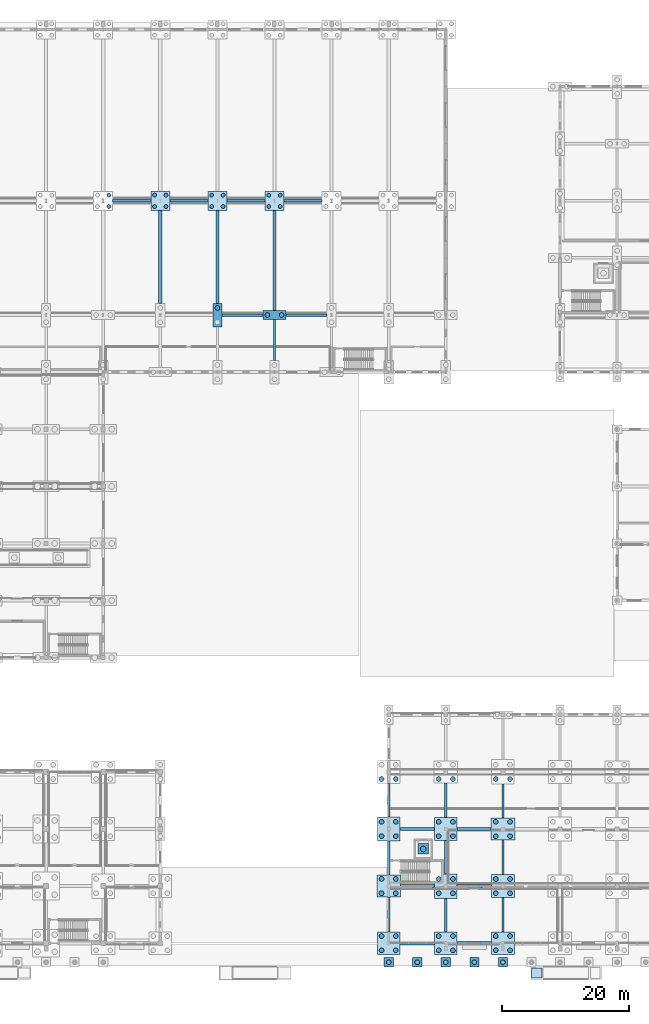
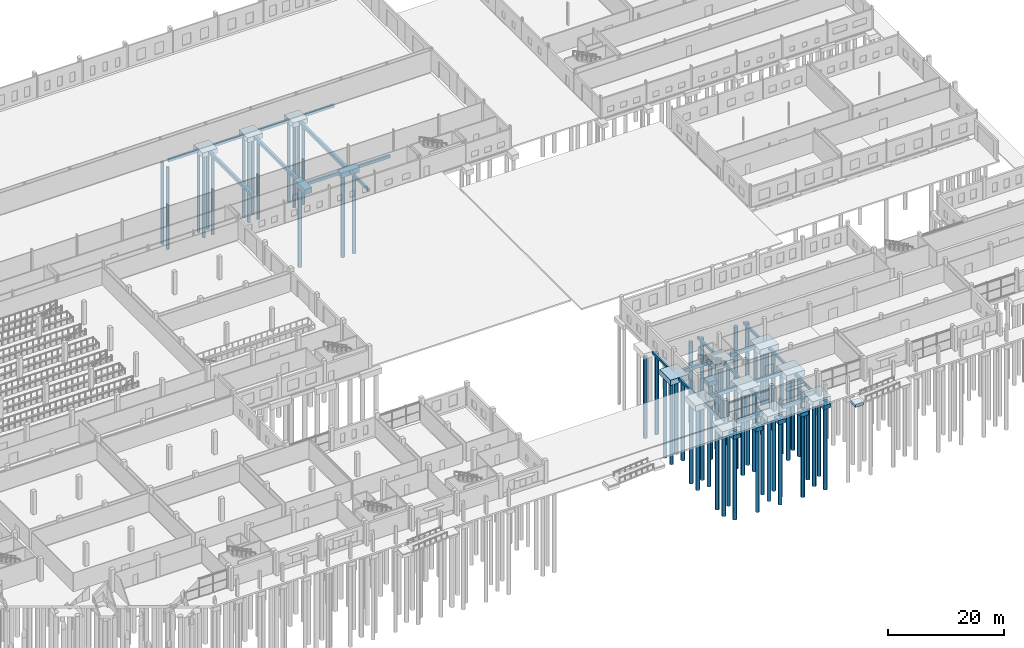
# One storey, part 10 of 112: 65 piles, 46 footings.
"""IFC4 building model written with IfcOpenShell, lengths in metres."""

import ifcopenshell
import ifcopenshell.guid

model = None  # the IFC model being written
_history = None  # IfcOwnerHistory: only IFC2X3 demands one
_inside = {}  # id of a spatial element -> (the spatial element, [elements in it])
_under = {}  # id of a project, library or spatial element -> (it, [spatial elements below it])
_declared = {}  # id of a project -> (the project, [libraries it declares])
_typed = {}  # id of a type object -> (the type object, [elements of that type])
_made_of = {}  # id of a material, layer set ... -> (it, [elements and type objects made of it])


def new_model(schema):
    """Start an empty IFC model of exactly this schema.

    Asked for "IFC4X3", IfcOpenShell would pick the latest addendum, in which some entities
    have other attributes; the version numbers below select the first issue.
    IFC2X3 requires an IfcOwnerHistory on every rooted entity: one is made here for all.
    """
    global model, _history
    if schema == "IFC4X3":
        model = ifcopenshell.file(schema_version=(4, 3, 0, 0))
    else:
        model = ifcopenshell.file(schema=schema)
    _inside.clear()
    _under.clear()
    _declared.clear()
    _typed.clear()
    _made_of.clear()
    _history = None
    if model.schema == "IFC2X3":
        org = make("IfcOrganization", Name="unknown")
        user = make(
            "IfcPersonAndOrganization",
            ThePerson=make("IfcPerson", FamilyName="unknown"),
            TheOrganization=org,
        )
        app = make(
            "IfcApplication",
            ApplicationDeveloper=org,
            Version="unknown",
            ApplicationFullName="unknown",
            ApplicationIdentifier="unknown",
        )
        _history = make(
            "IfcOwnerHistory",
            OwningUser=user,
            OwningApplication=app,
            ChangeAction="ADDED",
            CreationDate=0,
        )
    return model


def make(cls, **values):
    """One entity of the class cls with the attributes given. An attribute that is None is left unset."""
    return model.create_entity(
        cls, **{name: value for name, value in values.items() if value is not None}
    )


def rooted(cls, **values):
    """An entity with a GlobalId (a new one), such as an element, a storey or a relation."""
    return make(cls, GlobalId=ifcopenshell.guid.new(), OwnerHistory=_history, **values)


def si_unit(unit_type, name, prefix=None):
    """IfcSIUnit, for example si_unit("LENGTHUNIT", "METRE", prefix="MILLI")."""
    return make("IfcSIUnit", UnitType=unit_type, Prefix=prefix, Name=name)


def assignment(units):
    """IfcUnitAssignment: the units of a project."""
    return None if units is None else make("IfcUnitAssignment", Units=units)


def point(xyz):
    """IfcCartesianPoint."""
    return None if xyz is None else make("IfcCartesianPoint", Coordinates=xyz)


def direction(xyz):
    """IfcDirection."""
    return None if xyz is None else make("IfcDirection", DirectionRatios=xyz)


def frame(location, z_axis=None, x_axis=None):
    """IfcAxis2Placement3D, a coordinate frame: its origin and axes. An axis left out is left unset."""
    return make(
        "IfcAxis2Placement3D",
        Location=point(location),
        Axis=direction(z_axis),
        RefDirection=direction(x_axis),
    )


def frame_2d(location, x_axis=None):
    """IfcAxis2Placement2D, a coordinate frame in the plane: its origin and x axis."""
    return make(
        "IfcAxis2Placement2D", Location=point(location), RefDirection=direction(x_axis)
    )


def origin():
    """The frame at (0, 0, 0) with its axes left unset."""
    return frame((0.0, 0.0, 0.0))


def origin_2d():
    """The frame at (0, 0) in the plane with its x axis left unset."""
    return frame_2d((0.0, 0.0))


def place(relative_to, where):
    """IfcLocalPlacement: puts the frame where relative to a parent placement (None: the world)."""
    return make(
        "IfcLocalPlacement", PlacementRelTo=relative_to, RelativePlacement=where
    )


def context(
    kind, dimensions, precision=None, world=None, true_north=None, identifier=None
):
    """IfcGeometricRepresentationContext, for example the 3D "Model" context."""
    return make(
        "IfcGeometricRepresentationContext",
        ContextIdentifier=identifier,
        ContextType=kind,
        CoordinateSpaceDimension=dimensions,
        Precision=precision,
        WorldCoordinateSystem=world,
        TrueNorth=true_north,
    )


def subcontext(parent, identifier, kind, view, scale=None):
    """IfcGeometricRepresentationSubContext, for example "Body" below "Model"."""
    return make(
        "IfcGeometricRepresentationSubContext",
        ContextIdentifier=identifier,
        ContextType=kind,
        ParentContext=parent,
        TargetScale=scale,
        TargetView=view,
    )


def project(units=None, contexts=None):
    """IfcProject with its units and contexts."""
    return rooted(
        "IfcProject",
        Name="project",
        RepresentationContexts=contexts,
        UnitsInContext=assignment(units),
    )


def spatial(cls, under=None, at=None, **own):
    """A site, building, storey or space (cls), placed at a placement, below another one or the project."""
    s = rooted(cls, ObjectPlacement=at, **own)
    if under is not None:
        _under.setdefault(under.id(), (under, []))[1].append(s)
    return s


def polyline(points):
    """IfcPolyline through the points."""
    return make("IfcPolyline", Points=[point(p) for p in points])


def profile(cls, at=None, kind="AREA", **sizes):
    """A parametric profile (cls). Its sizes go by their IFC names, for example OverallWidth=200.0."""
    return make(cls, ProfileType=kind, Position=at, **sizes)


def rectangle(**sizes):
    """IfcRectangleProfileDef."""
    return profile("IfcRectangleProfileDef", **sizes)


def circle(**sizes):
    """IfcCircleProfileDef."""
    return profile("IfcCircleProfileDef", **sizes)


def outline(outer, holes=None, kind="AREA"):
    """IfcArbitraryClosedProfileDef: a profile drawn as a closed curve; with holes, ...WithVoids."""
    if holes is None:
        return make("IfcArbitraryClosedProfileDef", ProfileType=kind, OuterCurve=outer)
    return make(
        "IfcArbitraryProfileDefWithVoids",
        ProfileType=kind,
        OuterCurve=outer,
        InnerCurves=holes,
    )


def extrude(swept, where, along, depth):
    """IfcExtrudedAreaSolid: the profile swept, set in the frame where, extruded along a direction by depth."""
    return make(
        "IfcExtrudedAreaSolid",
        SweptArea=swept,
        Position=where,
        ExtrudedDirection=direction(along),
        Depth=depth,
    )


def shape(context_of_items, identifier, shape_type, items):
    """IfcShapeRepresentation: the items that make up one representation, for example the "Body"."""
    return make(
        "IfcShapeRepresentation",
        ContextOfItems=context_of_items,
        RepresentationIdentifier=identifier,
        RepresentationType=shape_type,
        Items=items,
    )


def material(Name=None, Category=None):
    """IfcMaterial."""
    return make("IfcMaterial", Name=Name, Category=Category)


def material_profile(
    of_material, cross_section, Name=None, Category=None, Priority=None
):
    """IfcMaterialProfile: a cross section and its material."""
    return make(
        "IfcMaterialProfile",
        Name=Name,
        Material=of_material,
        Profile=cross_section,
        Priority=Priority,
        Category=Category,
    )


def profile_set(profiles, Name=None, composite=None):
    """IfcMaterialProfileSet."""
    return make(
        "IfcMaterialProfileSet",
        Name=Name,
        MaterialProfiles=profiles,
        CompositeProfile=composite,
    )


def made_of(thing, what):
    """Note that an element or type object is made of a material, layer set ...; save() writes the relation."""
    if what is not None:
        _made_of.setdefault(what.id(), (what, []))[1].append(thing)
    return thing


def type_object(cls, material=None, **own):
    """A type object (cls), such as IfcWallType, which elements share."""
    return made_of(rooted(cls, **own), material)


def element(
    cls,
    number,
    at=None,
    inside=None,
    cuts=None,
    type_object=None,
    material=None,
    context=None,
    identifier="Body",
    shape_type=None,
    held_by="IfcProductDefinitionShape",
    body=None,
    shapes=None,
    **own,
):
    """One element of the class cls, such as IfcWall. Its Tag is "e" and its number.

    at: its placement. inside: the storey or other place that contains it. cuts: it is an
    opening in that element (IfcRelVoidsElement). A single representation is given by context,
    identifier, shape_type and body (its items); several are given by shapes. held_by: the class
    of the entity that holds the representations. save() writes the other relations.
    """
    e = rooted(cls, Tag="e%d" % number, ObjectPlacement=at, **own)
    if body is not None:
        shapes = [shape(context, identifier, shape_type, body)]
    if shapes is not None:
        e.Representation = make(held_by, Representations=shapes)
    if inside is not None:
        _inside.setdefault(inside.id(), (inside, []))[1].append(e)
    if cuts is not None:
        rooted(
            "IfcRelVoidsElement", RelatingBuildingElement=cuts, RelatedOpeningElement=e
        )
    if type_object is not None:
        _typed.setdefault(type_object.id(), (type_object, []))[1].append(e)
    return made_of(e, material)


def aggregate(whole, parts):
    """IfcRelAggregates: a whole, such as a stair, and the parts it consists of."""
    return rooted("IfcRelAggregates", RelatingObject=whole, RelatedObjects=parts)


def save(model, path):
    """Write the relations noted so far, then the file.

    IfcRelAggregates (storeys below a building ...), IfcRelContainedInSpatialStructure (elements
    in a storey), IfcRelDefinesByType, IfcRelAssociatesMaterial and IfcRelDeclares: one each for
    every whole, place, type object, material and project.
    """
    for whole, parts in _under.values():
        aggregate(whole, parts)
    for where, things in _inside.values():
        rooted(
            "IfcRelContainedInSpatialStructure",
            RelatedElements=things,
            RelatingStructure=where,
        )
    for kind, things in _typed.values():
        rooted("IfcRelDefinesByType", RelatedObjects=things, RelatingType=kind)
    for what, things in _made_of.values():
        rooted("IfcRelAssociatesMaterial", RelatedObjects=things, RelatingMaterial=what)
    for by, libraries in _declared.values():
        rooted("IfcRelDeclares", RelatingContext=by, RelatedDefinitions=libraries)
    model.write(path)


model = new_model("IFC4")

# Units and contexts
model_context = context("Model", 3, precision=1e-05, world=origin(), true_north=direction((0.0, 1.0)))
body_context = subcontext(model_context, "Body", "Model", "MODEL_VIEW")
ifc_project = project(units=[si_unit("LENGTHUNIT", "METRE"), si_unit("AREAUNIT", "SQUARE_METRE"), si_unit("VOLUMEUNIT", "CUBIC_METRE"), si_unit("PLANEANGLEUNIT", "RADIAN"), si_unit("MASSUNIT", "GRAM", prefix="KILO")], contexts=[model_context])

# Site, building, storey
site_placement = place(None, origin())
site = spatial("IfcSite", under=ifc_project, at=site_placement, CompositionType="ELEMENT")
building_placement = place(site_placement, origin())
building = spatial("IfcBuilding", under=site, at=building_placement, Name="Tharagai Park Tramway Depot", CompositionType="ELEMENT")
storey_placement = place(building_placement, origin())
storey = spatial("IfcBuildingStorey", under=building, at=storey_placement, Name="L00", CompositionType="ELEMENT", Elevation=0.0)

# Piles
ifc_material = material(Name="Concrete M40", Category="concrete")
ifc_material_profile_1 = material_profile(ifc_material, circle(Radius=0.449951171875, at=origin_2d()), Name="PILE D900")
ifc_profile_set_1 = profile_set([ifc_material_profile_1], Name="Concrete M40")
pile_type_1 = type_object("IfcPileType", Name="BP-01", PredefinedType="BORED", material=ifc_profile_set_1)
pile_1_placement = place(storey_placement, frame((140.449951171875, 14.85009765625, -2.60009765625), z_axis=(0.0, 0.0, -1.0), x_axis=(1.0, 0.0, 0.0)))
element("IfcPile", 1, at=pile_1_placement, inside=storey, type_object=pile_type_1, Name="Lift LP-03 Pit Bored Pile", PredefinedType="BORED", context=body_context, shape_type="SweptSolid", body=[
    extrude(circle(Radius=0.449951171875, at=origin_2d()), origin(), (0.0, 0.0, 1.0), 15.89990234375),
])
ifc_material_profile_2 = material_profile(ifc_material, circle(Radius=0.375, at=origin_2d()), Name="PILE D750")
ifc_profile_set_2 = profile_set([ifc_material_profile_2], Name="Concrete M40")
pile_type_2 = type_object("IfcPileType", Name="BP-02", PredefinedType="BORED", material=ifc_profile_set_2)
pile_2_placement = place(storey_placement, frame((108.0, 100.125, -1.280029296875), z_axis=(0.0, 0.0, -1.0), x_axis=(1.0, 0.0, 0.0)))
element("IfcPile", 2, at=pile_2_placement, inside=storey, type_object=pile_type_2, Name="Bored Pile BP-02 (108,99) #2", PredefinedType="BORED", context=body_context, shape_type="SweptSolid", body=[
    extrude(circle(Radius=0.375, at=origin_2d()), origin(), (0.0, 0.0, 1.0), 17.219970703125),
])
for number, where, z_axis, x_axis, name in (
    (3, (115.875, 99.0, -1.25), (0.0, 0.0, -1.0), (1.0, 0.0, 0.0), "Bored Pile BP-02 (117,99) #1"),
    (4, (118.125, 99.0, -1.25), (0.0, 0.0, -1.0), (1.0, 0.0, 0.0), "Bored Pile BP-02 (117,99) #2"),
):
    element("IfcPile", number, at=place(storey_placement, frame(where, z_axis=z_axis, x_axis=x_axis)), inside=storey, type_object=pile_type_2, Name=name, PredefinedType="BORED", context=body_context, shape_type="SweptSolid", body=[
        extrude(circle(Radius=0.375, at=origin_2d()), origin(), (0.0, 0.0, 1.0), 17.25),
    ])
for number, where, z_axis, x_axis, name in (
    (5, (133.875, -1.125, -1.35009765625), (0.0, 0.0, -1.0), (1.0, 0.0, 0.0), "Bored Pile BP-02 (135,0) #1"),
    (6, (136.125, -1.125, -1.35009765625), (0.0, 0.0, -1.0), (1.0, 0.0, 0.0), "Bored Pile BP-02 (135,0) #2"),
    (7, (133.875, 1.125, -1.35009765625), (0.0, 0.0, -1.0), (1.0, 0.0, 0.0), "Bored Pile BP-02 (135,0) #3"),
    (8, (136.125, 1.125, -1.35009765625), (0.0, 0.0, -1.0), (1.0, 0.0, 0.0), "Bored Pile BP-02 (135,0) #4"),
):
    element("IfcPile", number, at=place(storey_placement, frame(where, z_axis=z_axis, x_axis=x_axis)), inside=storey, type_object=pile_type_2, Name=name, PredefinedType="BORED", context=body_context, shape_type="SweptSolid", body=[
        extrude(circle(Radius=0.375, at=origin_2d()), origin(), (0.0, 0.0, 1.0), 17.14990234375),
    ])
for number, where, z_axis, x_axis, name in (
    (9, (133.875, 7.875, -1.39990234375), (0.0, 0.0, -1.0), (1.0, 0.0, 0.0), "Bored Pile BP-02 (135,9) #1"),
    (10, (136.125, 7.875, -1.39990234375), (0.0, 0.0, -1.0), (1.0, 0.0, 0.0), "Bored Pile BP-02 (135,9) #2"),
    (11, (133.875, 10.125, -1.39990234375), (0.0, 0.0, -1.0), (1.0, 0.0, 0.0), "Bored Pile BP-02 (135,9) #3"),
    (12, (136.125, 10.125, -1.39990234375), (0.0, 0.0, -1.0), (1.0, 0.0, 0.0), "Bored Pile BP-02 (135,9) #4"),
):
    element("IfcPile", number, at=place(storey_placement, frame(where, z_axis=z_axis, x_axis=x_axis)), inside=storey, type_object=pile_type_2, Name=name, PredefinedType="BORED", context=body_context, shape_type="SweptSolid", body=[
        extrude(circle(Radius=0.375, at=origin_2d()), origin(), (0.0, 0.0, 1.0), 17.10009765625),
    ])
for number, where, z_axis, x_axis, name in (
    (13, (133.875, 16.875, -1.320068359375), (0.0, 0.0, -1.0), (1.0, 0.0, 0.0), "Bored Pile BP-02 (135,18) #1"),
    (14, (136.125, 16.875, -1.320068359375), (0.0, 0.0, -1.0), (1.0, 0.0, 0.0), "Bored Pile BP-02 (135,18) #2"),
    (15, (133.875, 19.125, -1.320068359375), (0.0, 0.0, -1.0), (1.0, 0.0, 0.0), "Bored Pile BP-02 (135,18) #3"),
    (16, (136.125, 19.125, -1.320068359375), (0.0, 0.0, -1.0), (1.0, 0.0, 0.0), "Bored Pile BP-02 (135,18) #4"),
):
    element("IfcPile", number, at=place(storey_placement, frame(where, z_axis=z_axis, x_axis=x_axis)), inside=storey, type_object=pile_type_2, Name=name, PredefinedType="BORED", context=body_context, shape_type="SweptSolid", body=[
        extrude(circle(Radius=0.375, at=origin_2d()), origin(), (0.0, 0.0, 1.0), 17.179931640625),
    ])
for number, where, z_axis, x_axis, name in (
    (17, (133.875, 25.875, -1.35009765625), (0.0, 0.0, -1.0), (1.0, 0.0, 0.0), "Bored Pile BP-02 (135,27) #1"),
    (18, (136.125, 25.875, -1.35009765625), (0.0, 0.0, -1.0), (1.0, 0.0, 0.0), "Bored Pile BP-02 (135,27) #2"),
    (19, (142.875, -1.125, -1.35009765625), (0.0, 0.0, -1.0), (1.0, 0.0, 0.0), "Bored Pile BP-02 (144,0) #1"),
    (20, (145.125, -1.125, -1.35009765625), (0.0, 0.0, -1.0), (1.0, 0.0, 0.0), "Bored Pile BP-02 (144,0) #2"),
    (21, (142.875, 1.125, -1.35009765625), (0.0, 0.0, -1.0), (1.0, 0.0, 0.0), "Bored Pile BP-02 (144,0) #3"),
    (22, (145.125, 1.125, -1.35009765625), (0.0, 0.0, -1.0), (1.0, 0.0, 0.0), "Bored Pile BP-02 (144,0) #4"),
):
    element("IfcPile", number, at=place(storey_placement, frame(where, z_axis=z_axis, x_axis=x_axis)), inside=storey, type_object=pile_type_2, Name=name, PredefinedType="BORED", context=body_context, shape_type="SweptSolid", body=[
        extrude(circle(Radius=0.375, at=origin_2d()), origin(), (0.0, 0.0, 1.0), 17.14990234375),
    ])
for number, where, z_axis, x_axis, name in (
    (23, (142.875, 7.875, -1.320068359375), (0.0, 0.0, -1.0), (1.0, 0.0, 0.0), "Bored Pile BP-02 (144,9) #1"),
    (24, (145.125, 7.875, -1.320068359375), (0.0, 0.0, -1.0), (1.0, 0.0, 0.0), "Bored Pile BP-02 (144,9) #2"),
    (25, (142.875, 10.125, -1.320068359375), (0.0, 0.0, -1.0), (1.0, 0.0, 0.0), "Bored Pile BP-02 (144,9) #3"),
    (26, (145.125, 10.125, -1.320068359375), (0.0, 0.0, -1.0), (1.0, 0.0, 0.0), "Bored Pile BP-02 (144,9) #4"),
):
    element("IfcPile", number, at=place(storey_placement, frame(where, z_axis=z_axis, x_axis=x_axis)), inside=storey, type_object=pile_type_2, Name=name, PredefinedType="BORED", context=body_context, shape_type="SweptSolid", body=[
        extrude(circle(Radius=0.375, at=origin_2d()), origin(), (0.0, 0.0, 1.0), 17.179931640625),
    ])
for number, where, z_axis, x_axis, name in (
    (27, (142.875, 16.875, -1.35009765625), (0.0, 0.0, -1.0), (1.0, 0.0, 0.0), "Bored Pile BP-02 (144,18) #1"),
    (28, (145.125, 16.875, -1.35009765625), (0.0, 0.0, -1.0), (1.0, 0.0, 0.0), "Bored Pile BP-02 (144,18) #2"),
    (29, (142.875, 19.125, -1.35009765625), (0.0, 0.0, -1.0), (1.0, 0.0, 0.0), "Bored Pile BP-02 (144,18) #3"),
    (30, (145.125, 19.125, -1.35009765625), (0.0, 0.0, -1.0), (1.0, 0.0, 0.0), "Bored Pile BP-02 (144,18) #4"),
):
    element("IfcPile", number, at=place(storey_placement, frame(where, z_axis=z_axis, x_axis=x_axis)), inside=storey, type_object=pile_type_2, Name=name, PredefinedType="BORED", context=body_context, shape_type="SweptSolid", body=[
        extrude(circle(Radius=0.375, at=origin_2d()), origin(), (0.0, 0.0, 1.0), 17.14990234375),
    ])
for number, where, z_axis, x_axis, name in (
    (31, (142.875, 25.875, -1.39990234375), (0.0, 0.0, -1.0), (1.0, 0.0, 0.0), "Bored Pile BP-02 (144,27) #1"),
    (32, (145.125, 25.875, -1.39990234375), (0.0, 0.0, -1.0), (1.0, 0.0, 0.0), "Bored Pile BP-02 (144,27) #2"),
):
    element("IfcPile", number, at=place(storey_placement, frame(where, z_axis=z_axis, x_axis=x_axis)), inside=storey, type_object=pile_type_2, Name=name, PredefinedType="BORED", context=body_context, shape_type="SweptSolid", body=[
        extrude(circle(Radius=0.375, at=origin_2d()), origin(), (0.0, 0.0, 1.0), 17.10009765625),
    ])
for number, where, z_axis, x_axis, name in (
    (33, (151.875, -1.125, -1.35009765625), (0.0, 0.0, -1.0), (1.0, 0.0, 0.0), "Bored Pile BP-02 (153,0) #1"),
    (34, (154.125, -1.125, -1.35009765625), (0.0, 0.0, -1.0), (1.0, 0.0, 0.0), "Bored Pile BP-02 (153,0) #2"),
    (35, (151.875, 1.125, -1.35009765625), (0.0, 0.0, -1.0), (1.0, 0.0, 0.0), "Bored Pile BP-02 (153,0) #3"),
    (36, (154.125, 1.125, -1.35009765625), (0.0, 0.0, -1.0), (1.0, 0.0, 0.0), "Bored Pile BP-02 (153,0) #4"),
    (37, (151.875, 7.875, -1.35009765625), (0.0, 0.0, -1.0), (1.0, 0.0, 0.0), "Bored Pile BP-02 (153,9) #1"),
    (38, (154.125, 7.875, -1.35009765625), (0.0, 0.0, -1.0), (1.0, 0.0, 0.0), "Bored Pile BP-02 (153,9) #2"),
    (39, (151.875, 10.125, -1.35009765625), (0.0, 0.0, -1.0), (1.0, 0.0, 0.0), "Bored Pile BP-02 (153,9) #3"),
    (40, (154.125, 10.125, -1.35009765625), (0.0, 0.0, -1.0), (1.0, 0.0, 0.0), "Bored Pile BP-02 (153,9) #4"),
):
    element("IfcPile", number, at=place(storey_placement, frame(where, z_axis=z_axis, x_axis=x_axis)), inside=storey, type_object=pile_type_2, Name=name, PredefinedType="BORED", context=body_context, shape_type="SweptSolid", body=[
        extrude(circle(Radius=0.375, at=origin_2d()), origin(), (0.0, 0.0, 1.0), 17.14990234375),
    ])
for number, where, z_axis, x_axis, name in (
    (41, (151.875, 16.875, -1.39990234375), (0.0, 0.0, -1.0), (1.0, 0.0, 0.0), "Bored Pile BP-02 (153,18) #1"),
    (42, (154.125, 16.875, -1.39990234375), (0.0, 0.0, -1.0), (1.0, 0.0, 0.0), "Bored Pile BP-02 (153,18) #2"),
    (43, (151.875, 19.125, -1.39990234375), (0.0, 0.0, -1.0), (1.0, 0.0, 0.0), "Bored Pile BP-02 (153,18) #3"),
    (44, (154.125, 19.125, -1.39990234375), (0.0, 0.0, -1.0), (1.0, 0.0, 0.0), "Bored Pile BP-02 (153,18) #4"),
):
    element("IfcPile", number, at=place(storey_placement, frame(where, z_axis=z_axis, x_axis=x_axis)), inside=storey, type_object=pile_type_2, Name=name, PredefinedType="BORED", context=body_context, shape_type="SweptSolid", body=[
        extrude(circle(Radius=0.375, at=origin_2d()), origin(), (0.0, 0.0, 1.0), 17.10009765625),
    ])
for number, where, z_axis, x_axis, name in (
    (45, (151.875, 25.875, -1.320068359375), (0.0, 0.0, -1.0), (1.0, 0.0, 0.0), "Bored Pile BP-02 (153,27) #1"),
    (46, (154.125, 25.875, -1.320068359375), (0.0, 0.0, -1.0), (1.0, 0.0, 0.0), "Bored Pile BP-02 (153,27) #2"),
):
    element("IfcPile", number, at=place(storey_placement, frame(where, z_axis=z_axis, x_axis=x_axis)), inside=storey, type_object=pile_type_2, Name=name, PredefinedType="BORED", context=body_context, shape_type="SweptSolid", body=[
        extrude(circle(Radius=0.375, at=origin_2d()), origin(), (0.0, 0.0, 1.0), 17.179931640625),
    ])
for number, where, z_axis, x_axis, name in (
    (47, (135.0, -3.0, -1.06005859375), (0.0, 0.0, -1.0), (1.0, 0.0, 0.0), "Park Cloister Pier Bored Pile BP-02"),
    (48, (139.5, -3.0, -1.06005859375), (0.0, 0.0, -1.0), (1.0, 0.0, 0.0), "Park Cloister Pier Bored Pile BP-02"),
    (49, (144.0, -3.0, -1.06005859375), (0.0, 0.0, -1.0), (1.0, 0.0, 0.0), "Park Cloister Pier Bored Pile BP-02"),
    (50, (148.5, -3.0, -1.06005859375), (0.0, 0.0, -1.0), (1.0, 0.0, 0.0), "Park Cloister Pier Bored Pile BP-02"),
    (51, (153.0, -3.0, -1.06005859375), (0.0, 0.0, -1.0), (1.0, 0.0, 0.0), "Park Cloister Pier Bored Pile BP-02"),
):
    element("IfcPile", number, at=place(storey_placement, frame(where, z_axis=z_axis, x_axis=x_axis)), inside=storey, type_object=pile_type_2, Name=name, PredefinedType="BORED", context=body_context, shape_type="SweptSolid", body=[
        extrude(circle(Radius=0.375, at=origin_2d()), origin(), (0.0, 0.0, 1.0), 17.43994140625),
    ])
ifc_material_profile_3 = material_profile(ifc_material, circle(Radius=0.300048828125, at=origin_2d()), Name="PILE D600")
ifc_profile_set_3 = profile_set([ifc_material_profile_3], Name="Concrete M40")
pile_type_3 = type_object("IfcPileType", Name="BP-03", PredefinedType="BORED", material=ifc_profile_set_3)
for number, where, z_axis, x_axis, name in (
    (52, (90.89990234375, 116.10009765625, -1.199951171875), (0.0, 0.0, -1.0), (1.0, 0.0, 0.0), "Bored Pile BP-03 (90,117) #2"),
    (53, (90.89990234375, 117.89990234375, -1.199951171875), (0.0, 0.0, -1.0), (1.0, 0.0, 0.0), "Bored Pile BP-03 (90,117) #4"),
    (54, (98.10009765625, 116.10009765625, -1.199951171875), (0.0, 0.0, -1.0), (1.0, 0.0, 0.0), "Bored Pile BP-03 (99,117) #1"),
    (55, (99.89990234375, 116.10009765625, -1.199951171875), (0.0, 0.0, -1.0), (1.0, 0.0, 0.0), "Bored Pile BP-03 (99,117) #2"),
    (56, (98.10009765625, 117.89990234375, -1.199951171875), (0.0, 0.0, -1.0), (1.0, 0.0, 0.0), "Bored Pile BP-03 (99,117) #3"),
    (57, (99.89990234375, 117.89990234375, -1.199951171875), (0.0, 0.0, -1.0), (1.0, 0.0, 0.0), "Bored Pile BP-03 (99,117) #4"),
    (58, (107.10009765625, 116.10009765625, -1.199951171875), (0.0, 0.0, -1.0), (1.0, 0.0, 0.0), "Bored Pile BP-03 (108,117) #1"),
    (59, (108.89990234375, 116.10009765625, -1.199951171875), (0.0, 0.0, -1.0), (1.0, 0.0, 0.0), "Bored Pile BP-03 (108,117) #2"),
    (60, (107.10009765625, 117.89990234375, -1.199951171875), (0.0, 0.0, -1.0), (1.0, 0.0, 0.0), "Bored Pile BP-03 (108,117) #3"),
    (61, (108.89990234375, 117.89990234375, -1.199951171875), (0.0, 0.0, -1.0), (1.0, 0.0, 0.0), "Bored Pile BP-03 (108,117) #4"),
    (62, (116.10009765625, 116.10009765625, -1.199951171875), (0.0, 0.0, -1.0), (1.0, 0.0, 0.0), "Bored Pile BP-03 (117,117) #1"),
    (63, (117.89990234375, 116.10009765625, -1.199951171875), (0.0, 0.0, -1.0), (1.0, 0.0, 0.0), "Bored Pile BP-03 (117,117) #2"),
    (64, (116.10009765625, 117.89990234375, -1.199951171875), (0.0, 0.0, -1.0), (1.0, 0.0, 0.0), "Bored Pile BP-03 (117,117) #3"),
    (65, (117.89990234375, 117.89990234375, -1.199951171875), (0.0, 0.0, -1.0), (1.0, 0.0, 0.0), "Bored Pile BP-03 (117,117) #4"),
):
    element("IfcPile", number, at=place(storey_placement, frame(where, z_axis=z_axis, x_axis=x_axis)), inside=storey, type_object=pile_type_3, Name=name, PredefinedType="BORED", context=body_context, shape_type="SweptSolid", body=[
        extrude(circle(Radius=0.300048828125, at=origin_2d()), origin(), (0.0, 0.0, 1.0), 17.300048828125),
    ])

# Footings
footing_type_1 = type_object("IfcFootingType", Name="GB-02", PredefinedType="FOOTING_BEAM", material=ifc_material)
footing_1_placement = place(storey_placement, frame((0.0, 0.0, -1.0)))
element("IfcFooting", 66, at=footing_1_placement, inside=storey, type_object=footing_type_1, Name="Ground Tie Beam GB-02", PredefinedType="FOOTING_BEAM", context=body_context, shape_type="SweptSolid", body=[
    extrude(outline(polyline([(136.800048828125, -0.25), (142.199951171875, -0.25), (142.199951171875, 0.25), (136.800048828125, 0.25), (136.800048828125, -0.25)])), origin(), (0.0, 0.0, 1.0), 0.699951171875),
])
footing_2_placement = place(storey_placement, frame((0.0, 0.0, -1.0)))
element("IfcFooting", 67, at=footing_2_placement, inside=storey, type_object=footing_type_1, Name="Ground Tie Beam GB-02", PredefinedType="FOOTING_BEAM", context=body_context, shape_type="SweptSolid", body=[
    extrude(outline(polyline([(145.800048828125, -0.25), (151.199951171875, -0.25), (151.199951171875, 0.25), (145.800048828125, 0.25), (145.800048828125, -0.25)])), origin(), (0.0, 0.0, 1.0), 0.699951171875),
])
footing_3_placement = place(storey_placement, frame((0.0, 0.0, -1.0)))
element("IfcFooting", 68, at=footing_3_placement, inside=storey, type_object=footing_type_1, Name="Ground Tie Beam GB-02", PredefinedType="FOOTING_BEAM", context=body_context, shape_type="SweptSolid", body=[
    extrude(outline(polyline([(136.875, 8.75), (142.22509765625, 8.75), (142.22509765625, 9.25), (136.875, 9.25), (136.875, 8.75)])), origin(), (0.0, 0.0, 1.0), 0.699951171875),
])
footing_4_placement = place(storey_placement, frame((0.0, 0.0, -1.0)))
element("IfcFooting", 69, at=footing_4_placement, inside=storey, type_object=footing_type_1, Name="Ground Tie Beam GB-02", PredefinedType="FOOTING_BEAM", context=body_context, shape_type="SweptSolid", body=[
    extrude(outline(polyline([(145.77490234375, 8.75), (151.199951171875, 8.75), (151.199951171875, 9.25), (145.77490234375, 9.25), (145.77490234375, 8.75)])), origin(), (0.0, 0.0, 1.0), 0.699951171875),
])
footing_5_placement = place(storey_placement, frame((0.0, 0.0, -1.0)))
element("IfcFooting", 70, at=footing_5_placement, inside=storey, type_object=footing_type_1, Name="Ground Tie Beam GB-02", PredefinedType="FOOTING_BEAM", context=body_context, shape_type="SweptSolid", body=[
    extrude(outline(polyline([(136.77490234375, 17.75), (142.199951171875, 17.75), (142.199951171875, 18.25), (136.77490234375, 18.25), (136.77490234375, 17.75)])), origin(), (0.0, 0.0, 1.0), 0.699951171875),
])
footing_6_placement = place(storey_placement, frame((0.0, 0.0, -1.0)))
element("IfcFooting", 71, at=footing_6_placement, inside=storey, type_object=footing_type_1, Name="Ground Tie Beam GB-02", PredefinedType="FOOTING_BEAM", context=body_context, shape_type="SweptSolid", body=[
    extrude(outline(polyline([(145.800048828125, 17.75), (151.125, 17.75), (151.125, 18.25), (145.800048828125, 18.25), (145.800048828125, 17.75)])), origin(), (0.0, 0.0, 1.0), 0.699951171875),
])
footing_7_placement = place(storey_placement, frame((0.0, 0.0, -1.0)))
element("IfcFooting", 72, at=footing_7_placement, inside=storey, type_object=footing_type_1, Name="Ground Tie Beam GB-02", PredefinedType="FOOTING_BEAM", context=body_context, shape_type="SweptSolid", body=[
    extrude(outline(polyline([(98.75, 100.85009765625), (99.25, 100.85009765625), (99.25, 115.5), (98.75, 115.5), (98.75, 100.85009765625)])), origin(), (0.0, 0.0, 1.0), 0.699951171875),
])
footing_8_placement = place(storey_placement, frame((0.0, 0.0, -1.0)))
element("IfcFooting", 73, at=footing_8_placement, inside=storey, type_object=footing_type_1, Name="Ground Tie Beam GB-02", PredefinedType="FOOTING_BEAM", context=body_context, shape_type="SweptSolid", body=[
    extrude(outline(polyline([(107.75, 100.85009765625), (108.25, 100.85009765625), (108.25, 115.5), (107.75, 115.5), (107.75, 100.85009765625)])), origin(), (0.0, 0.0, 1.0), 0.699951171875),
])
footing_9_placement = place(storey_placement, frame((0.0, 0.0, -1.0)))
element("IfcFooting", 74, at=footing_9_placement, inside=storey, type_object=footing_type_1, Name="Ground Tie Beam GB-02", PredefinedType="FOOTING_BEAM", context=body_context, shape_type="SweptSolid", body=[
    extrude(outline(polyline([(116.75, 99.699951171875), (117.25, 99.699951171875), (117.25, 115.5), (116.75, 115.5), (116.75, 99.699951171875)])), origin(), (0.0, 0.0, 1.0), 0.699951171875),
])
footing_type_2 = type_object("IfcFootingType", Name="GB-03", PredefinedType="FOOTING_BEAM", material=ifc_material)
footing_10_placement = place(storey_placement, frame((0.0, 0.0, -0.85009765625)))
element("IfcFooting", 75, at=footing_10_placement, inside=storey, type_object=footing_type_2, Name="Ground Tie Beam GB-03", PredefinedType="FOOTING_BEAM", context=body_context, shape_type="SweptSolid", body=[
    extrude(outline(polyline([(116.824951171875, 91.85009765625), (117.175048828125, 91.85009765625), (117.175048828125, 98.300048828125), (116.824951171875, 98.300048828125), (116.824951171875, 91.85009765625)])), origin(), (0.0, 0.0, 1.0), 0.550048828125),
])
footing_11_placement = place(storey_placement, frame((0.0, 0.0, -0.85009765625)))
element("IfcFooting", 76, at=footing_11_placement, inside=storey, type_object=footing_type_2, Name="Ground Tie Beam GB-03", PredefinedType="FOOTING_BEAM", context=body_context, shape_type="SweptSolid", body=[
    extrude(outline(polyline([(134.824951171875, 1.800048828125), (135.175048828125, 1.800048828125), (135.175048828125, 7.25), (134.824951171875, 7.25), (134.824951171875, 1.800048828125)])), origin(), (0.0, 0.0, 1.0), 0.550048828125),
])
footing_12_placement = place(storey_placement, frame((0.0, 0.0, -0.85009765625)))
element("IfcFooting", 77, at=footing_12_placement, inside=storey, type_object=footing_type_2, Name="Ground Tie Beam GB-03", PredefinedType="FOOTING_BEAM", context=body_context, shape_type="SweptSolid", body=[
    extrude(outline(polyline([(134.824951171875, 10.75), (135.175048828125, 10.75), (135.175048828125, 16.074951171875), (134.824951171875, 16.074951171875), (134.824951171875, 10.75)])), origin(), (0.0, 0.0, 1.0), 0.550048828125),
])
footing_13_placement = place(storey_placement, frame((0.0, 0.0, -0.85009765625)))
element("IfcFooting", 78, at=footing_13_placement, inside=storey, type_object=footing_type_2, Name="Ground Tie Beam GB-03", PredefinedType="FOOTING_BEAM", context=body_context, shape_type="SweptSolid", body=[
    extrude(outline(polyline([(134.824951171875, 19.925048828125), (135.175048828125, 19.925048828125), (135.175048828125, 25.199951171875), (134.824951171875, 25.199951171875), (134.824951171875, 19.925048828125)])), origin(), (0.0, 0.0, 1.0), 0.550048828125),
])
footing_14_placement = place(storey_placement, frame((0.0, 0.0, -0.85009765625)))
element("IfcFooting", 79, at=footing_14_placement, inside=storey, type_object=footing_type_2, Name="Ground Tie Beam GB-03", PredefinedType="FOOTING_BEAM", context=body_context, shape_type="SweptSolid", body=[
    extrude(outline(polyline([(143.824951171875, 1.800048828125), (144.175048828125, 1.800048828125), (144.175048828125, 7.074951171875), (143.824951171875, 7.074951171875), (143.824951171875, 1.800048828125)])), origin(), (0.0, 0.0, 1.0), 0.550048828125),
])
footing_15_placement = place(storey_placement, frame((0.0, 0.0, -0.85009765625)))
element("IfcFooting", 80, at=footing_15_placement, inside=storey, type_object=footing_type_2, Name="Ground Tie Beam GB-03", PredefinedType="FOOTING_BEAM", context=body_context, shape_type="SweptSolid", body=[
    extrude(outline(polyline([(143.824951171875, 10.925048828125), (144.175048828125, 10.925048828125), (144.175048828125, 16.199951171875), (143.824951171875, 16.199951171875), (143.824951171875, 10.925048828125)])), origin(), (0.0, 0.0, 1.0), 0.550048828125),
])
footing_16_placement = place(storey_placement, frame((0.0, 0.0, -0.85009765625)))
element("IfcFooting", 81, at=footing_16_placement, inside=storey, type_object=footing_type_2, Name="Ground Tie Beam GB-03", PredefinedType="FOOTING_BEAM", context=body_context, shape_type="SweptSolid", body=[
    extrude(outline(polyline([(143.824951171875, 19.800048828125), (144.175048828125, 19.800048828125), (144.175048828125, 25.25), (143.824951171875, 25.25), (143.824951171875, 19.800048828125)])), origin(), (0.0, 0.0, 1.0), 0.550048828125),
])
footing_17_placement = place(storey_placement, frame((0.0, 0.0, -0.85009765625)))
element("IfcFooting", 82, at=footing_17_placement, inside=storey, type_object=footing_type_2, Name="Ground Tie Beam GB-03", PredefinedType="FOOTING_BEAM", context=body_context, shape_type="SweptSolid", body=[
    extrude(outline(polyline([(152.824951171875, 1.800048828125), (153.175048828125, 1.800048828125), (153.175048828125, 7.199951171875), (152.824951171875, 7.199951171875), (152.824951171875, 1.800048828125)])), origin(), (0.0, 0.0, 1.0), 0.550048828125),
])
footing_18_placement = place(storey_placement, frame((0.0, 0.0, -0.85009765625)))
element("IfcFooting", 83, at=footing_18_placement, inside=storey, type_object=footing_type_2, Name="Ground Tie Beam GB-03", PredefinedType="FOOTING_BEAM", context=body_context, shape_type="SweptSolid", body=[
    extrude(outline(polyline([(152.824951171875, 10.800048828125), (153.175048828125, 10.800048828125), (153.175048828125, 16.25), (152.824951171875, 16.25), (152.824951171875, 10.800048828125)])), origin(), (0.0, 0.0, 1.0), 0.550048828125),
])
footing_19_placement = place(storey_placement, frame((0.0, 0.0, -0.85009765625)))
element("IfcFooting", 84, at=footing_19_placement, inside=storey, type_object=footing_type_2, Name="Ground Tie Beam GB-03", PredefinedType="FOOTING_BEAM", context=body_context, shape_type="SweptSolid", body=[
    extrude(outline(polyline([(152.824951171875, 19.75), (153.175048828125, 19.75), (153.175048828125, 25.074951171875), (152.824951171875, 25.074951171875), (152.824951171875, 19.75)])), origin(), (0.0, 0.0, 1.0), 0.550048828125),
])
footing_type_3 = type_object("IfcFootingType", Name="GB-04", PredefinedType="FOOTING_BEAM", material=ifc_material)
footing_20_placement = place(storey_placement, frame((0.0, 0.0, -0.89990234375)))
element("IfcFooting", 85, at=footing_20_placement, inside=storey, type_object=footing_type_3, Name="Ground Tie Beam GB-04", PredefinedType="FOOTING_BEAM", context=body_context, shape_type="SweptSolid", body=[
    extrude(outline(polyline([(108.72509765625, 98.800048828125), (115.199951171875, 98.800048828125), (115.199951171875, 99.199951171875), (108.72509765625, 99.199951171875), (108.72509765625, 98.800048828125)])), origin(), (0.0, 0.0, 1.0), 0.599853515625),
])
footing_21_placement = place(storey_placement, frame((0.0, 0.0, -0.89990234375)))
element("IfcFooting", 86, at=footing_21_placement, inside=storey, type_object=footing_type_3, Name="Ground Tie Beam GB-04", PredefinedType="FOOTING_BEAM", context=body_context, shape_type="SweptSolid", body=[
    extrude(outline(polyline([(118.800048828125, 98.800048828125), (125.27490234375, 98.800048828125), (125.27490234375, 99.199951171875), (118.800048828125, 99.199951171875), (118.800048828125, 98.800048828125)])), origin(), (0.0, 0.0, 1.0), 0.599853515625),
])
footing_22_placement = place(storey_placement, frame((0.0, 0.0, -0.89990234375)))
element("IfcFooting", 87, at=footing_22_placement, inside=storey, type_object=footing_type_3, Name="Ground Tie Beam GB-04", PredefinedType="FOOTING_BEAM", context=body_context, shape_type="SweptSolid", body=[
    extrude(outline(polyline([(91.5, 116.800048828125), (97.5, 116.800048828125), (97.5, 117.199951171875), (91.5, 117.199951171875), (91.5, 116.800048828125)])), origin(), (0.0, 0.0, 1.0), 0.599853515625),
])
footing_23_placement = place(storey_placement, frame((0.0, 0.0, -0.89990234375)))
element("IfcFooting", 88, at=footing_23_placement, inside=storey, type_object=footing_type_3, Name="Ground Tie Beam GB-04", PredefinedType="FOOTING_BEAM", context=body_context, shape_type="SweptSolid", body=[
    extrude(outline(polyline([(100.5, 116.800048828125), (106.5, 116.800048828125), (106.5, 117.199951171875), (100.5, 117.199951171875), (100.5, 116.800048828125)])), origin(), (0.0, 0.0, 1.0), 0.599853515625),
])
footing_24_placement = place(storey_placement, frame((0.0, 0.0, -0.89990234375)))
element("IfcFooting", 89, at=footing_24_placement, inside=storey, type_object=footing_type_3, Name="Ground Tie Beam GB-04", PredefinedType="FOOTING_BEAM", context=body_context, shape_type="SweptSolid", body=[
    extrude(outline(polyline([(109.5, 116.800048828125), (115.5, 116.800048828125), (115.5, 117.199951171875), (109.5, 117.199951171875), (109.5, 116.800048828125)])), origin(), (0.0, 0.0, 1.0), 0.599853515625),
])
footing_25_placement = place(storey_placement, frame((0.0, 0.0, -0.89990234375)))
element("IfcFooting", 90, at=footing_25_placement, inside=storey, type_object=footing_type_3, Name="Ground Tie Beam GB-04", PredefinedType="FOOTING_BEAM", context=body_context, shape_type="SweptSolid", body=[
    extrude(outline(polyline([(118.5, 116.800048828125), (124.5, 116.800048828125), (124.5, 117.199951171875), (118.5, 117.199951171875), (118.5, 116.800048828125)])), origin(), (0.0, 0.0, 1.0), 0.599853515625),
])
footing_type_4 = type_object("IfcFootingType", Name="PC-02", PredefinedType="PILE_CAP", material=ifc_material)
for number, where, z_axis, x_axis, name in (
    (91, (99.0, 117.0, -1.300048828125), (0.0, 0.0, 1.0), (1.0, 0.0, 0.0), "Pile Cap PC-02 (99,117)"),
    (92, (108.0, 117.0, -1.300048828125), (0.0, 0.0, 1.0), (1.0, 0.0, 0.0), "Pile Cap PC-02 (108,117)"),
    (93, (117.0, 117.0, -1.300048828125), (0.0, 0.0, 1.0), (1.0, 0.0, 0.0), "Pile Cap PC-02 (117,117)"),
):
    element("IfcFooting", number, at=place(storey_placement, frame(where, z_axis=z_axis, x_axis=x_axis)), inside=storey, type_object=footing_type_4, Name=name, PredefinedType="PILE_CAP", context=body_context, shape_type="SweptSolid", body=[
        extrude(rectangle(XDim=3.0, YDim=3.0, at=origin_2d()), origin(), (0.0, 0.0, 1.0), 1.0),
    ])
footing_type_5 = type_object("IfcFootingType", Name="PC-03", PredefinedType="PILE_CAP", material=ifc_material)
for number, where, z_axis, x_axis, name in (
    (94, (135.0, 0.0, -1.449951171875), (0.0, 0.0, 1.0), (1.0, 0.0, 0.0), "Pile Cap PC-03 (135,0)"),
    (95, (144.0, 0.0, -1.449951171875), (0.0, 0.0, 1.0), (1.0, 0.0, 0.0), "Pile Cap PC-03 (144,0)"),
    (96, (144.0, 18.0, -1.449951171875), (0.0, 0.0, 1.0), (1.0, 0.0, 0.0), "Pile Cap PC-03 (144,18)"),
    (97, (153.0, 0.0, -1.449951171875), (0.0, 0.0, 1.0), (1.0, 0.0, 0.0), "Pile Cap PC-03 (153,0)"),
    (98, (153.0, 9.0, -1.449951171875), (0.0, 0.0, 1.0), (1.0, 0.0, 0.0), "Pile Cap PC-03 (153,9)"),
):
    element("IfcFooting", number, at=place(storey_placement, frame(where, z_axis=z_axis, x_axis=x_axis)), inside=storey, type_object=footing_type_5, Name=name, PredefinedType="PILE_CAP", context=body_context, shape_type="SweptSolid", body=[
        extrude(rectangle(XDim=3.60009765625, YDim=3.60009765625, at=origin_2d()), origin(), (0.0, 0.0, 1.0), 1.14990234375),
    ])
footing_type_6 = type_object("IfcFootingType", Name="PC-07", PredefinedType="PILE_CAP", material=ifc_material)
for number, where, z_axis, x_axis, name in (
    (99, (135.0, 9.0, -1.5), (0.0, 0.0, 1.0), (1.0, 0.0, 0.0), "Pile Cap PC-07 (135,9)"),
    (100, (153.0, 18.0, -1.5), (0.0, 0.0, 1.0), (1.0, 0.0, 0.0), "Pile Cap PC-07 (153,18)"),
):
    element("IfcFooting", number, at=place(storey_placement, frame(where, z_axis=z_axis, x_axis=x_axis)), inside=storey, type_object=footing_type_6, Name=name, PredefinedType="PILE_CAP", context=body_context, shape_type="SweptSolid", body=[
        extrude(rectangle(XDim=3.75, YDim=3.5, at=origin_2d()), origin(), (0.0, 0.0, 1.0), 1.199951171875),
    ])
footing_type_7 = type_object("IfcFootingType", Name="PC-09", PredefinedType="PILE_CAP", material=ifc_material)
for number, where, z_axis, x_axis, name in (
    (101, (135.0, 18.0, -1.420166015625), (0.0, 0.0, 1.0), (1.0, 0.0, 0.0), "Pile Cap PC-09 (135,18)"),
    (102, (144.0, 9.0, -1.420166015625), (0.0, 0.0, 1.0), (1.0, 0.0, 0.0), "Pile Cap PC-09 (144,9)"),
):
    element("IfcFooting", number, at=place(storey_placement, frame(where, z_axis=z_axis, x_axis=x_axis)), inside=storey, type_object=footing_type_7, Name=name, PredefinedType="PILE_CAP", context=body_context, shape_type="SweptSolid", body=[
        extrude(rectangle(XDim=3.550048828125, YDim=3.85009765625, at=origin_2d()), origin(), (0.0, 0.0, 1.0), 1.1201171875),
    ])
footing_type_8 = type_object("IfcFootingType", Name="PC-10", PredefinedType="PILE_CAP", material=ifc_material)
for number, where, z_axis, x_axis, name in (
    (103, (135.0, -3.0, -1.16015625), (0.0, 0.0, 1.0), (1.0, 0.0, 0.0), "Park Cloister Pier Pile Cap PC-10"),
    (104, (139.5, -3.0, -1.16015625), (0.0, 0.0, 1.0), (1.0, 0.0, 0.0), "Park Cloister Pier Pile Cap PC-10"),
    (105, (144.0, -3.0, -1.16015625), (0.0, 0.0, 1.0), (1.0, 0.0, 0.0), "Park Cloister Pier Pile Cap PC-10"),
    (106, (148.5, -3.0, -1.16015625), (0.0, 0.0, 1.0), (1.0, 0.0, 0.0), "Park Cloister Pier Pile Cap PC-10"),
    (107, (153.0, -3.0, -1.16015625), (0.0, 0.0, 1.0), (1.0, 0.0, 0.0), "Park Cloister Pier Pile Cap PC-10"),
):
    element("IfcFooting", number, at=place(storey_placement, frame(where, z_axis=z_axis, x_axis=x_axis)), inside=storey, type_object=footing_type_8, Name=name, PredefinedType="PILE_CAP", context=body_context, shape_type="SweptSolid", body=[
        extrude(rectangle(XDim=1.449951171875, YDim=1.449951171875, at=origin_2d()), origin(), (0.0, 0.0, 1.0), 0.85009765625),
    ])
footing_type_9 = type_object("IfcFootingType", Name="PC-11", PredefinedType="PILE_CAP", material=ifc_material)
footing_26_placement = place(storey_placement, frame((117.0, 99.0, -1.35009765625), z_axis=(0.0, 0.0, 1.0), x_axis=(1.0, 0.0, 0.0)))
element("IfcFooting", 108, at=footing_26_placement, inside=storey, type_object=footing_type_9, Name="Pile Cap PC-11 (117,99)", PredefinedType="PILE_CAP", context=body_context, shape_type="SweptSolid", body=[
    extrude(rectangle(XDim=3.60009765625, YDim=1.39990234375, at=origin_2d()), origin(), (0.0, 0.0, 1.0), 1.050048828125),
])
footing_type_10 = type_object("IfcFootingType", Name="PC-14", PredefinedType="PILE_CAP", material=ifc_material)
footing_27_placement = place(storey_placement, frame((108.0, 99.0, -1.380126953125), z_axis=(0.0, 0.0, 1.0), x_axis=(1.0, 0.0, 0.0)))
element("IfcFooting", 109, at=footing_27_placement, inside=storey, type_object=footing_type_10, Name="Pile Cap PC-14 (108,99)", PredefinedType="PILE_CAP", context=body_context, shape_type="SweptSolid", body=[
    extrude(rectangle(XDim=1.449951171875, YDim=3.699951171875, at=origin_2d()), origin(), (0.0, 0.0, 1.0), 1.080078125),
])
footing_type_11 = type_object("IfcFootingType", Name="PC-16", PredefinedType="PILE_CAP", material=ifc_material)
footing_28_placement = place(storey_placement, frame((140.449951171875, 14.85009765625, -2.7001953125), z_axis=(0.0, 0.0, 1.0), x_axis=(1.0, 0.0, 0.0)))
element("IfcFooting", 110, at=footing_28_placement, inside=storey, type_object=footing_type_11, Name="Lift LP-03 Pit Pile Cap", PredefinedType="PILE_CAP", context=body_context, shape_type="SweptSolid", body=[
    extrude(rectangle(XDim=1.64990234375, YDim=1.64990234375, at=origin_2d()), origin(), (0.0, 0.0, 1.0), 0.949951171875),
])
footing_type_12 = type_object("IfcFootingType", Name="PF-01", PredefinedType="PAD_FOOTING", material=ifc_material)
footing_29_placement = place(storey_placement, frame((158.340087890625, -4.699951171875, -1.4599609375), z_axis=(0.0, 0.0, 1.0), x_axis=(1.0, 0.0, 0.0)))
element("IfcFooting", 111, at=footing_29_placement, inside=storey, type_object=footing_type_12, Name="Ramp Pad Footing PF-01", PredefinedType="PAD_FOOTING", context=body_context, shape_type="SweptSolid", body=[
    extrude(rectangle(XDim=1.60009765625, YDim=1.60009765625, at=origin_2d()), origin(), (0.0, 0.0, 1.0), 0.550048828125),
])

save(model, "model.ifc")
